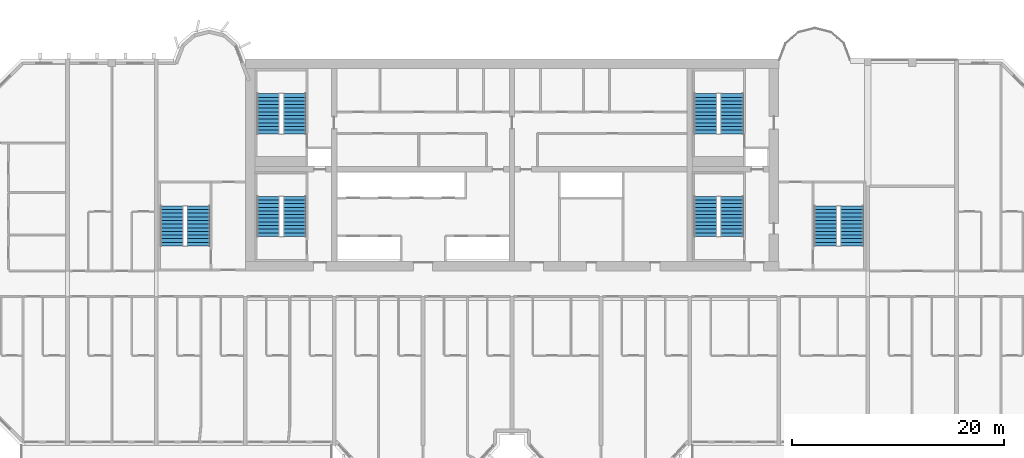
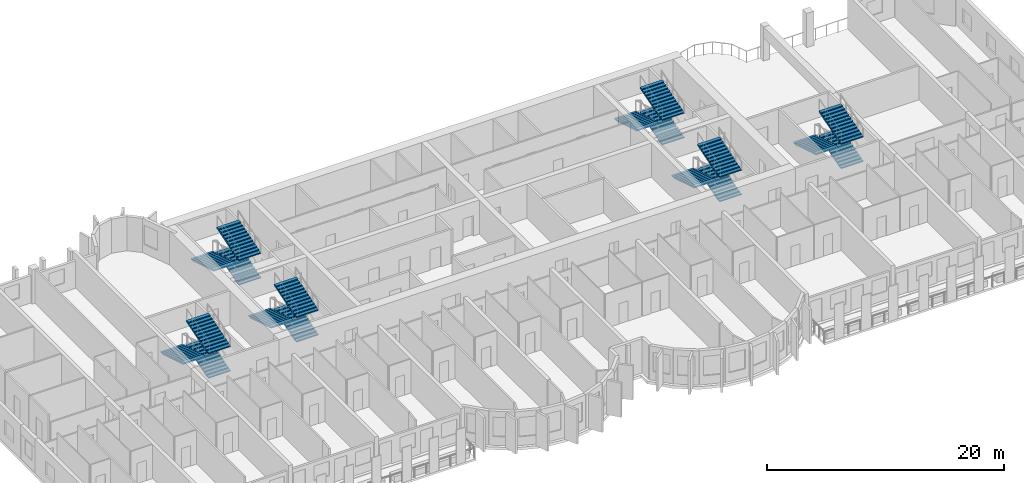
# One storey, part 12 of 15: 18 stair flights, 6 elements without a shape of their own.
"""IFC4 building model written with IfcOpenShell, lengths in metres."""

from ifc_helpers import new_model, si_unit, direction, frame, origin, place, context, subcontext, project, spatial, polyline, outline, extrude, source, transform, mapped, material, type_object, element, aggregate, save


model = new_model("IFC4")

# Units and contexts
model_context = context("Model", 3, precision=1e-05, world=origin(), true_north=direction((0.0, 1.0)))
body_context = subcontext(model_context, "Body", "Model", "MODEL_VIEW")
ifc_project = project(units=[si_unit("LENGTHUNIT", "METRE"), si_unit("AREAUNIT", "SQUARE_METRE"), si_unit("VOLUMEUNIT", "CUBIC_METRE"), si_unit("PLANEANGLEUNIT", "RADIAN"), si_unit("MASSUNIT", "GRAM", prefix="KILO")], contexts=[model_context])

# Site, building, storey
site_placement = place(None, origin())
site = spatial("IfcSite", under=ifc_project, at=site_placement, CompositionType="ELEMENT")
building_placement = place(site_placement, origin())
building = spatial("IfcBuilding", under=site, at=building_placement, Name="Vanashikhar Sky Hotel", CompositionType="ELEMENT")
storey_placement = place(building_placement, frame((0.0, 0.0, 106.60009765625)))
storey = spatial("IfcBuildingStorey", under=building, at=storey_placement, Name="L25", CompositionType="ELEMENT", Elevation=106.60009765625)

# Stair, stair flights
ifc_material = material(Name="Concrete M40", Category="concrete")
stair_type = type_object("IfcStairType", Name="Exit stair 2150", PredefinedType="DOUBLE_RETURN_STAIR", material=ifc_material)
stair_1_placement = place(storey_placement, origin())
stair_1 = element("IfcStair", 1, at=stair_1_placement, inside=storey, type_object=stair_type, Name="L25 Exit stair 1", PredefinedType="DOUBLE_RETURN_STAIR")
stair_flight_type = type_object("IfcStairFlightType", Name="Stair flight 2150", PredefinedType="STRAIGHT", material=ifc_material)
shared_shape = source(origin(), body_context, "Body", "SweptSolid", [
    extrude(outline(polyline([(0.0, 0.0), (0.0, 0.10546875), (0.345458984375, 0.10546875), (0.345458984375, 0.211181640625), (0.69091796875, 0.211181640625), (0.69091796875, 0.316650390625), (1.036376953125, 0.316650390625), (1.036376953125, 0.422119140625), (1.3818359375, 0.422119140625), (1.3818359375, 0.52783203125), (1.727294921875, 0.52783203125), (1.727294921875, 0.63330078125), (2.07275390625, 0.63330078125), (2.07275390625, 0.73876953125), (2.418212890625, 0.73876953125), (2.418212890625, 0.844482421875), (2.763671875, 0.844482421875), (2.763671875, 0.949951171875), (3.109130859375, 0.949951171875), (3.109130859375, 1.0556640625), (3.45458984375, 1.0556640625), (3.45458984375, 1.1611328125), (3.800048828125, 1.1611328125), (3.800048828125, 1.2666015625), (3.800048828125, 1.035400390625), (0.4111328125, 0.0), (0.0, 0.0)])), frame((0.0, 1.074951171875, 0.0), z_axis=(0.0, -1.0, 0.0), x_axis=(1.0, 0.0, 0.0)), (0.0, 0.0, 1.0), 2.14990234375),
])
stair_flight_1_placement = place(storey_placement, frame((29.875, 25.25, 0.0), z_axis=(0.0, 0.0, 1.0), x_axis=(0.0, 1.0, 0.0)))
stair_flight_1 = element("IfcStairFlight", 2, at=stair_flight_1_placement, type_object=stair_flight_type, Name="ST-C1 flight 1", NumberOfRisers=12, NumberOfTreads=11, PredefinedType="STRAIGHT", RiserHeight=0.105555556, TreadLength=0.345454545, context=body_context, shape_type="MappedRepresentation", body=[
    mapped(shared_shape, transform((0.0, 0.0, 0.0), scale=1.0)),
])
stair_flight_2_placement = place(storey_placement, frame((27.375, 29.050048828125, 1.2666015625), z_axis=(0.0, 0.0, 1.0), x_axis=(0.0, -1.0, 0.0)))
stair_flight_2 = element("IfcStairFlight", 3, at=stair_flight_2_placement, type_object=stair_flight_type, Name="ST-C1 flight 2", NumberOfRisers=12, NumberOfTreads=11, PredefinedType="STRAIGHT", RiserHeight=0.105555556, TreadLength=0.345454545, context=body_context, shape_type="MappedRepresentation", body=[
    mapped(shared_shape, transform((0.0, 0.0, 0.0), scale=1.0)),
])
stair_flight_3_placement = place(storey_placement, frame((29.875, 25.25, 2.533203125), z_axis=(0.0, 0.0, 1.0), x_axis=(0.0, 1.0, 0.0)))
stair_flight_3 = element("IfcStairFlight", 4, at=stair_flight_3_placement, type_object=stair_flight_type, Name="ST-C1 flight 3", NumberOfRisers=12, NumberOfTreads=11, PredefinedType="STRAIGHT", RiserHeight=0.105555556, TreadLength=0.345454545, context=body_context, shape_type="MappedRepresentation", body=[
    mapped(shared_shape, transform((0.0, 0.0, 0.0), scale=1.0)),
])
aggregate(stair_1, [stair_flight_1, stair_flight_2, stair_flight_3])

stair_2_placement = place(storey_placement, origin())
stair_2 = element("IfcStair", 5, at=stair_2_placement, inside=storey, type_object=stair_type, Name="L25 Exit stair 2", PredefinedType="DOUBLE_RETURN_STAIR")
stair_flight_4_placement = place(storey_placement, frame((71.175048828125, 25.25, 0.0), z_axis=(0.0, 0.0, 1.0), x_axis=(0.0, 1.0, 0.0)))
stair_flight_4 = element("IfcStairFlight", 6, at=stair_flight_4_placement, type_object=stair_flight_type, Name="ST-C2 flight 1", NumberOfRisers=12, NumberOfTreads=11, PredefinedType="STRAIGHT", RiserHeight=0.105555556, TreadLength=0.345454545, context=body_context, shape_type="MappedRepresentation", body=[
    mapped(shared_shape, transform((0.0, 0.0, 0.0), scale=1.0)),
])
stair_flight_5_placement = place(storey_placement, frame((68.675048828125, 29.050048828125, 1.2666015625), z_axis=(0.0, 0.0, 1.0), x_axis=(0.0, -1.0, 0.0)))
stair_flight_5 = element("IfcStairFlight", 7, at=stair_flight_5_placement, type_object=stair_flight_type, Name="ST-C2 flight 2", NumberOfRisers=12, NumberOfTreads=11, PredefinedType="STRAIGHT", RiserHeight=0.105555556, TreadLength=0.345454545, context=body_context, shape_type="MappedRepresentation", body=[
    mapped(shared_shape, transform((0.0, 0.0, 0.0), scale=1.0)),
])
stair_flight_6_placement = place(storey_placement, frame((71.175048828125, 25.25, 2.533203125), z_axis=(0.0, 0.0, 1.0), x_axis=(0.0, 1.0, 0.0)))
stair_flight_6 = element("IfcStairFlight", 8, at=stair_flight_6_placement, type_object=stair_flight_type, Name="ST-C2 flight 3", NumberOfRisers=12, NumberOfTreads=11, PredefinedType="STRAIGHT", RiserHeight=0.105555556, TreadLength=0.345454545, context=body_context, shape_type="MappedRepresentation", body=[
    mapped(shared_shape, transform((0.0, 0.0, 0.0), scale=1.0)),
])
aggregate(stair_2, [stair_flight_4, stair_flight_5, stair_flight_6])

stair_3_placement = place(storey_placement, origin())
stair_3 = element("IfcStair", 9, at=stair_3_placement, inside=storey, type_object=stair_type, Name="L25 Exit stair 3", PredefinedType="DOUBLE_RETURN_STAIR")
stair_flight_7_placement = place(storey_placement, frame((20.77490234375, 24.35009765625, 0.0), z_axis=(0.0, 0.0, 1.0), x_axis=(0.0, 1.0, 0.0)))
stair_flight_7 = element("IfcStairFlight", 10, at=stair_flight_7_placement, type_object=stair_flight_type, Name="ST-W flight 1", NumberOfRisers=12, NumberOfTreads=11, PredefinedType="STRAIGHT", RiserHeight=0.105555556, TreadLength=0.345454545, context=body_context, shape_type="MappedRepresentation", body=[
    mapped(shared_shape, transform((0.0, 0.0, 0.0), scale=1.0)),
])
stair_flight_8_placement = place(storey_placement, frame((18.27490234375, 28.14990234375, 1.2666015625), z_axis=(0.0, 0.0, 1.0), x_axis=(0.0, -1.0, 0.0)))
stair_flight_8 = element("IfcStairFlight", 11, at=stair_flight_8_placement, type_object=stair_flight_type, Name="ST-W flight 2", NumberOfRisers=12, NumberOfTreads=11, PredefinedType="STRAIGHT", RiserHeight=0.105555556, TreadLength=0.345454545, context=body_context, shape_type="MappedRepresentation", body=[
    mapped(shared_shape, transform((0.0, 0.0, 0.0), scale=1.0)),
])
stair_flight_9_placement = place(storey_placement, frame((20.77490234375, 24.35009765625, 2.533203125), z_axis=(0.0, 0.0, 1.0), x_axis=(0.0, 1.0, 0.0)))
stair_flight_9 = element("IfcStairFlight", 12, at=stair_flight_9_placement, type_object=stair_flight_type, Name="ST-W flight 3", NumberOfRisers=12, NumberOfTreads=11, PredefinedType="STRAIGHT", RiserHeight=0.105555556, TreadLength=0.345454545, context=body_context, shape_type="MappedRepresentation", body=[
    mapped(shared_shape, transform((0.0, 0.0, 0.0), scale=1.0)),
])
aggregate(stair_3, [stair_flight_7, stair_flight_8, stair_flight_9])

stair_4_placement = place(storey_placement, origin())
stair_4 = element("IfcStair", 13, at=stair_4_placement, inside=storey, type_object=stair_type, Name="L25 Exit stair 4", PredefinedType="DOUBLE_RETURN_STAIR")
stair_flight_10_placement = place(storey_placement, frame((82.52490234375, 24.35009765625, 0.0), z_axis=(0.0, 0.0, 1.0), x_axis=(0.0, 1.0, 0.0)))
stair_flight_10 = element("IfcStairFlight", 14, at=stair_flight_10_placement, type_object=stair_flight_type, Name="ST-E flight 1", NumberOfRisers=12, NumberOfTreads=11, PredefinedType="STRAIGHT", RiserHeight=0.105555556, TreadLength=0.345454545, context=body_context, shape_type="MappedRepresentation", body=[
    mapped(shared_shape, transform((0.0, 0.0, 0.0), scale=1.0)),
])
stair_flight_11_placement = place(storey_placement, frame((80.02490234375, 28.14990234375, 1.2666015625), z_axis=(0.0, 0.0, 1.0), x_axis=(0.0, -1.0, 0.0)))
stair_flight_11 = element("IfcStairFlight", 15, at=stair_flight_11_placement, type_object=stair_flight_type, Name="ST-E flight 2", NumberOfRisers=12, NumberOfTreads=11, PredefinedType="STRAIGHT", RiserHeight=0.105555556, TreadLength=0.345454545, context=body_context, shape_type="MappedRepresentation", body=[
    mapped(shared_shape, transform((0.0, 0.0, 0.0), scale=1.0)),
])
stair_flight_12_placement = place(storey_placement, frame((82.52490234375, 24.35009765625, 2.533203125), z_axis=(0.0, 0.0, 1.0), x_axis=(0.0, 1.0, 0.0)))
stair_flight_12 = element("IfcStairFlight", 16, at=stair_flight_12_placement, type_object=stair_flight_type, Name="ST-E flight 3", NumberOfRisers=12, NumberOfTreads=11, PredefinedType="STRAIGHT", RiserHeight=0.105555556, TreadLength=0.345454545, context=body_context, shape_type="MappedRepresentation", body=[
    mapped(shared_shape, transform((0.0, 0.0, 0.0), scale=1.0)),
])
aggregate(stair_4, [stair_flight_10, stair_flight_11, stair_flight_12])

stair_5_placement = place(storey_placement, origin())
stair_5 = element("IfcStair", 17, at=stair_5_placement, inside=storey, type_object=stair_type, Name="L25 Exit stair 5", PredefinedType="DOUBLE_RETURN_STAIR")
stair_flight_13_placement = place(storey_placement, frame((29.875, 34.949951171875, 0.0), z_axis=(0.0, 0.0, 1.0), x_axis=(0.0, 1.0, 0.0)))
stair_flight_13 = element("IfcStairFlight", 18, at=stair_flight_13_placement, type_object=stair_flight_type, Name="ST-C3 flight 1", NumberOfRisers=12, NumberOfTreads=11, PredefinedType="STRAIGHT", RiserHeight=0.105555556, TreadLength=0.345454545, context=body_context, shape_type="MappedRepresentation", body=[
    mapped(shared_shape, transform((0.0, 0.0, 0.0), scale=1.0)),
])
stair_flight_14_placement = place(storey_placement, frame((27.375, 38.75, 1.2666015625), z_axis=(0.0, 0.0, 1.0), x_axis=(0.0, -1.0, 0.0)))
stair_flight_14 = element("IfcStairFlight", 19, at=stair_flight_14_placement, type_object=stair_flight_type, Name="ST-C3 flight 2", NumberOfRisers=12, NumberOfTreads=11, PredefinedType="STRAIGHT", RiserHeight=0.105555556, TreadLength=0.345454545, context=body_context, shape_type="MappedRepresentation", body=[
    mapped(shared_shape, transform((0.0, 0.0, 0.0), scale=1.0)),
])
stair_flight_15_placement = place(storey_placement, frame((29.875, 34.949951171875, 2.533203125), z_axis=(0.0, 0.0, 1.0), x_axis=(0.0, 1.0, 0.0)))
stair_flight_15 = element("IfcStairFlight", 20, at=stair_flight_15_placement, type_object=stair_flight_type, Name="ST-C3 flight 3", NumberOfRisers=12, NumberOfTreads=11, PredefinedType="STRAIGHT", RiserHeight=0.105555556, TreadLength=0.345454545, context=body_context, shape_type="MappedRepresentation", body=[
    mapped(shared_shape, transform((0.0, 0.0, 0.0), scale=1.0)),
])
aggregate(stair_5, [stair_flight_13, stair_flight_14, stair_flight_15])

stair_6_placement = place(storey_placement, origin())
stair_6 = element("IfcStair", 21, at=stair_6_placement, inside=storey, type_object=stair_type, Name="L25 Exit stair 6", PredefinedType="DOUBLE_RETURN_STAIR")
stair_flight_16_placement = place(storey_placement, frame((71.175048828125, 34.949951171875, 0.0), z_axis=(0.0, 0.0, 1.0), x_axis=(0.0, 1.0, 0.0)))
stair_flight_16 = element("IfcStairFlight", 22, at=stair_flight_16_placement, type_object=stair_flight_type, Name="ST-C4 flight 1", NumberOfRisers=12, NumberOfTreads=11, PredefinedType="STRAIGHT", RiserHeight=0.105555556, TreadLength=0.345454545, context=body_context, shape_type="MappedRepresentation", body=[
    mapped(shared_shape, transform((0.0, 0.0, 0.0), scale=1.0)),
])
stair_flight_17_placement = place(storey_placement, frame((68.675048828125, 38.75, 1.2666015625), z_axis=(0.0, 0.0, 1.0), x_axis=(0.0, -1.0, 0.0)))
stair_flight_17 = element("IfcStairFlight", 23, at=stair_flight_17_placement, type_object=stair_flight_type, Name="ST-C4 flight 2", NumberOfRisers=12, NumberOfTreads=11, PredefinedType="STRAIGHT", RiserHeight=0.105555556, TreadLength=0.345454545, context=body_context, shape_type="MappedRepresentation", body=[
    mapped(shared_shape, transform((0.0, 0.0, 0.0), scale=1.0)),
])
stair_flight_18_placement = place(storey_placement, frame((71.175048828125, 34.949951171875, 2.533203125), z_axis=(0.0, 0.0, 1.0), x_axis=(0.0, 1.0, 0.0)))
stair_flight_18 = element("IfcStairFlight", 24, at=stair_flight_18_placement, type_object=stair_flight_type, Name="ST-C4 flight 3", NumberOfRisers=12, NumberOfTreads=11, PredefinedType="STRAIGHT", RiserHeight=0.105555556, TreadLength=0.345454545, context=body_context, shape_type="MappedRepresentation", body=[
    mapped(shared_shape, transform((0.0, 0.0, 0.0), scale=1.0)),
])
aggregate(stair_6, [stair_flight_16, stair_flight_17, stair_flight_18])

save(model, "model.ifc")
